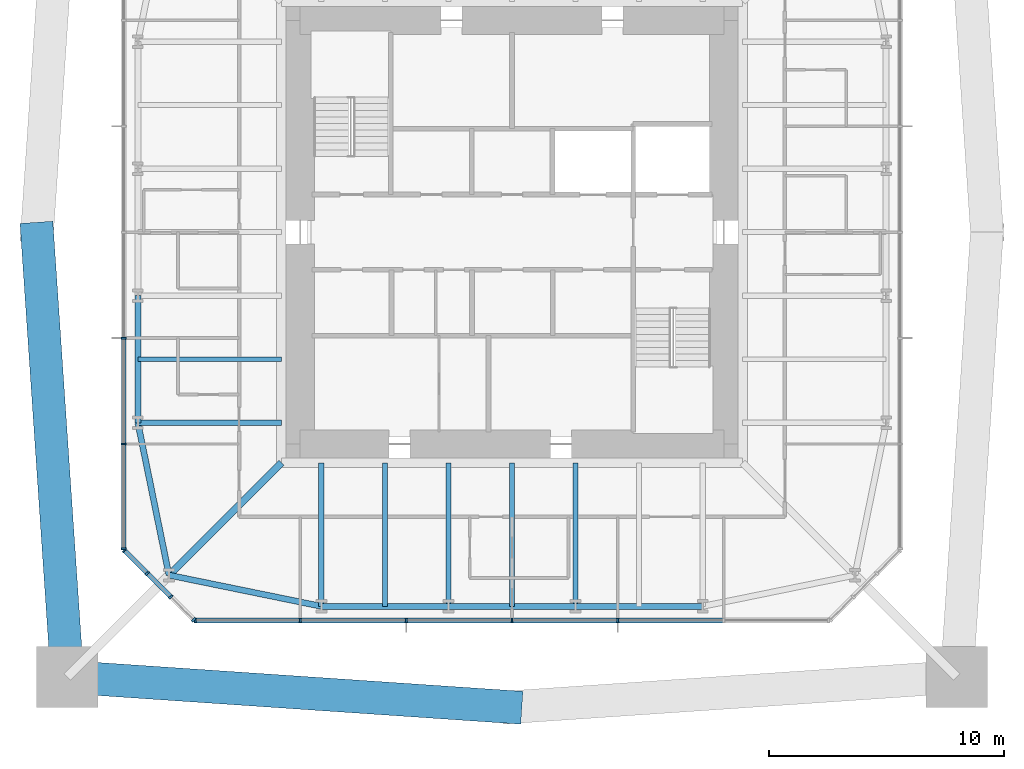
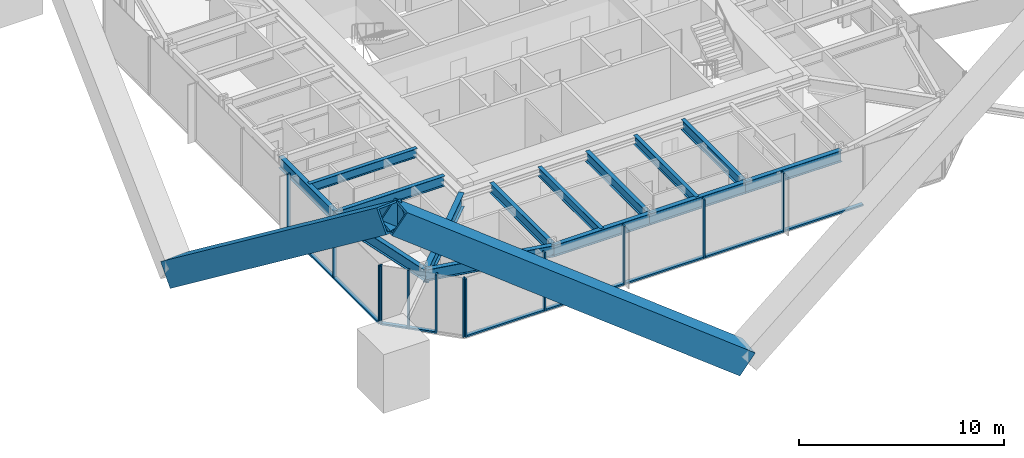
# One storey, part 2 of 11: 23 members, 14 beams, 3 elements without a shape of their own.
"""IFC4 building model written with IfcOpenShell, lengths in metres."""

from ifc_helpers import new_model, si_unit, direction, frame, origin, origin_2d, place, context, subcontext, project, spatial, rectangle, hollow_rectangle, i_section, extrude, material, material_profile, profile_set, type_object, element, aggregate, save


model = new_model("IFC4")

# Units and contexts
model_context = context("Model", 3, precision=1e-05, world=origin(), true_north=direction((0.0, 1.0)))
body_context = subcontext(model_context, "Body", "Model", "MODEL_VIEW")
ifc_project = project(units=[si_unit("LENGTHUNIT", "METRE"), si_unit("AREAUNIT", "SQUARE_METRE"), si_unit("VOLUMEUNIT", "CUBIC_METRE"), si_unit("PLANEANGLEUNIT", "RADIAN"), si_unit("MASSUNIT", "GRAM", prefix="KILO")], contexts=[model_context])

# Site, building, storey
site_placement = place(None, origin())
site = spatial("IfcSite", under=ifc_project, at=site_placement, CompositionType="ELEMENT")
building_placement = place(site_placement, origin())
building = spatial("IfcBuilding", under=site, at=building_placement, Name="Iwan Alto Co-Living Towers", CompositionType="ELEMENT")
storey_placement = place(building_placement, frame((0.0, 0.0, 229.0)))
storey = spatial("IfcBuildingStorey", under=building, at=storey_placement, Name="L62", CompositionType="ELEMENT", Elevation=229.0)

# Curtain wall, members
ifc_material_1 = material(Name="Bronze aluminium unitised frame", Category="aluminium")
curtain_wall_type_1 = type_object("IfcCurtainWallType", Name="CURTAIN WALL CW-A", PredefinedType="NOTDEFINED", material=ifc_material_1)
curtain_wall_1_placement = place(storey_placement, origin())
curtain_wall_1 = element("IfcCurtainWall", 1, at=curtain_wall_1_placement, inside=storey, type_object=curtain_wall_type_1, Name="T1 curtain wall S L62", PredefinedType="NOTDEFINED")
ifc_material_2 = material(Name="Aluminium 6063-T6 bronze anodised", Category="aluminium")
ifc_material_profile_1 = material_profile(ifc_material_2, rectangle(XDim=0.199951171875, YDim=0.080078125, at=origin_2d()), Name="AL 80X200")
ifc_profile_set_1 = profile_set([ifc_material_profile_1], Name="Aluminium 6063-T6 bronze anodised")
member_type_1 = type_object("IfcMemberType", Name="CW-A MULLION 80X200", PredefinedType="MULLION", material=ifc_profile_set_1)
member_1_placement = place(storey_placement, frame((-13.4599609375, -16.5, 0.0), z_axis=(0.0, 0.0, 1.0), x_axis=(0.0, 1.0, 0.0)))
member_1 = element("IfcMember", 2, at=member_1_placement, type_object=member_type_1, Name="CW-A mullion 1", PredefinedType="MULLION", context=body_context, shape_type="SweptSolid", body=[
    extrude(rectangle(XDim=0.199951171875, YDim=0.080078125, at=origin_2d()), origin(), (0.0, 0.0, 1.0), 3.5),
])
member_2_placement = place(storey_placement, frame((-9.0, -16.5, 0.0), z_axis=(0.0, 0.0, 1.0), x_axis=(0.0, 1.0, 0.0)))
member_2 = element("IfcMember", 3, at=member_2_placement, type_object=member_type_1, Name="CW-A mullion 2", PredefinedType="MULLION", context=body_context, shape_type="SweptSolid", body=[
    extrude(rectangle(XDim=0.199951171875, YDim=0.080078125, at=origin_2d()), origin(), (0.0, 0.0, 1.0), 3.5),
])
member_3_placement = place(storey_placement, frame((-4.5, -16.5, 0.0), z_axis=(0.0, 0.0, 1.0), x_axis=(0.0, 1.0, 0.0)))
member_3 = element("IfcMember", 4, at=member_3_placement, type_object=member_type_1, Name="CW-A mullion 3", PredefinedType="MULLION", context=body_context, shape_type="SweptSolid", body=[
    extrude(rectangle(XDim=0.199951171875, YDim=0.080078125, at=origin_2d()), origin(), (0.0, 0.0, 1.0), 3.5),
])
member_4_placement = place(storey_placement, frame((0.0, -16.5, 0.0), z_axis=(0.0, 0.0, 1.0), x_axis=(0.0, 1.0, 0.0)))
member_4 = element("IfcMember", 5, at=member_4_placement, type_object=member_type_1, Name="CW-A mullion 4", PredefinedType="MULLION", context=body_context, shape_type="SweptSolid", body=[
    extrude(rectangle(XDim=0.199951171875, YDim=0.080078125, at=origin_2d()), origin(), (0.0, 0.0, 1.0), 3.5),
])
member_5_placement = place(storey_placement, frame((4.5, -16.5, 0.0), z_axis=(0.0, 0.0, 1.0), x_axis=(0.0, 1.0, 0.0)))
member_5 = element("IfcMember", 6, at=member_5_placement, type_object=member_type_1, Name="CW-A mullion 5", PredefinedType="MULLION", context=body_context, shape_type="SweptSolid", body=[
    extrude(rectangle(XDim=0.199951171875, YDim=0.080078125, at=origin_2d()), origin(), (0.0, 0.0, 1.0), 3.5),
])

curtain_wall_2_placement = place(storey_placement, origin())
curtain_wall_2 = element("IfcCurtainWall", 7, at=curtain_wall_2_placement, inside=storey, type_object=curtain_wall_type_1, Name="T1 curtain wall W L62", PredefinedType="NOTDEFINED")
member_6_placement = place(storey_placement, frame((-16.5, -4.5, 0.0), z_axis=(0.0, 0.0, 1.0), x_axis=(1.0, 0.0, 0.0)))
member_6 = element("IfcMember", 8, at=member_6_placement, type_object=member_type_1, Name="CW-A mullion 5", PredefinedType="MULLION", context=body_context, shape_type="SweptSolid", body=[
    extrude(rectangle(XDim=0.199951171875, YDim=0.080078125, at=origin_2d()), origin(), (0.0, 0.0, 1.0), 3.5),
])
member_7_placement = place(storey_placement, frame((-16.5, -9.0, 0.0), z_axis=(0.0, 0.0, 1.0), x_axis=(1.0, 0.0, 0.0)))
member_7 = element("IfcMember", 9, at=member_7_placement, type_object=member_type_1, Name="CW-A mullion 6", PredefinedType="MULLION", context=body_context, shape_type="SweptSolid", body=[
    extrude(rectangle(XDim=0.199951171875, YDim=0.080078125, at=origin_2d()), origin(), (0.0, 0.0, 1.0), 3.5),
])
member_8_placement = place(storey_placement, frame((-16.5, -13.4599609375, 0.0), z_axis=(0.0, 0.0, 1.0), x_axis=(1.0, 0.0, 0.0)))
member_8 = element("IfcMember", 10, at=member_8_placement, type_object=member_type_1, Name="CW-A mullion 7", PredefinedType="MULLION", context=body_context, shape_type="SweptSolid", body=[
    extrude(rectangle(XDim=0.199951171875, YDim=0.080078125, at=origin_2d()), origin(), (0.0, 0.0, 1.0), 3.5),
])

# Member
ifc_material_3 = material(Name="Aluminium 6063-T6 bronze anodised", Category="aluminium")
ifc_material_profile_2 = material_profile(ifc_material_3, rectangle(XDim=0.199951171875, YDim=0.10009765625, at=origin_2d()), Name="AL 200X100")
ifc_profile_set_2 = profile_set([ifc_material_profile_2], Name="Aluminium 6063-T6 bronze anodised")
member_type_2 = type_object("IfcMemberType", Name="CW-A TRANSOM 200X100", PredefinedType="USERDEFINED", material=ifc_profile_set_2)
member_9_placement = place(storey_placement, frame((-13.419921875, -16.5, 0.050048828125), z_axis=(1.0, 0.0, 0.0), x_axis=(0.0, 1.0, 0.0)))
member_9 = element("IfcMember", 11, at=member_9_placement, type_object=member_type_2, Name="CW-A transom 1.1", ObjectType="TRANSOM", PredefinedType="USERDEFINED", context=body_context, shape_type="SweptSolid", body=[
    extrude(rectangle(XDim=0.199951171875, YDim=0.10009765625, at=origin_2d()), origin(), (0.0, 0.0, 1.0), 4.3798828125),
])

member_10_placement = place(storey_placement, frame((-8.9599609375, -16.5, 0.050048828125), z_axis=(1.0, 0.0, 0.0), x_axis=(0.0, 1.0, 0.0)))
member_10 = element("IfcMember", 12, at=member_10_placement, type_object=member_type_2, Name="CW-A transom 2.1", ObjectType="TRANSOM", PredefinedType="USERDEFINED", context=body_context, shape_type="SweptSolid", body=[
    extrude(rectangle(XDim=0.199951171875, YDim=0.10009765625, at=origin_2d()), origin(), (0.0, 0.0, 1.0), 4.419921875),
])

member_11_placement = place(storey_placement, frame((-4.4599609375, -16.5, 0.050048828125), z_axis=(1.0, 0.0, 0.0), x_axis=(0.0, 1.0, 0.0)))
member_11 = element("IfcMember", 13, at=member_11_placement, type_object=member_type_2, Name="CW-A transom 3.1", ObjectType="TRANSOM", PredefinedType="USERDEFINED", context=body_context, shape_type="SweptSolid", body=[
    extrude(rectangle(XDim=0.199951171875, YDim=0.10009765625, at=origin_2d()), origin(), (0.0, 0.0, 1.0), 4.419921875),
])

member_12_placement = place(storey_placement, frame((0.0400390625, -16.5, 0.050048828125), z_axis=(1.0, 0.0, 0.0), x_axis=(0.0, 1.0, 0.0)))
member_12 = element("IfcMember", 14, at=member_12_placement, type_object=member_type_2, Name="CW-A transom 4.1", ObjectType="TRANSOM", PredefinedType="USERDEFINED", context=body_context, shape_type="SweptSolid", body=[
    extrude(rectangle(XDim=0.199951171875, YDim=0.10009765625, at=origin_2d()), origin(), (0.0, 0.0, 1.0), 4.419921875),
])

member_13_placement = place(storey_placement, frame((4.5400390625, -16.5, 0.050048828125), z_axis=(1.0, 0.0, 0.0), x_axis=(0.0, 1.0, 0.0)))
member_13 = element("IfcMember", 15, at=member_13_placement, type_object=member_type_2, Name="CW-A transom 5.1", ObjectType="TRANSOM", PredefinedType="USERDEFINED", context=body_context, shape_type="SweptSolid", body=[
    extrude(rectangle(XDim=0.199951171875, YDim=0.10009765625, at=origin_2d()), origin(), (0.0, 0.0, 1.0), 4.419921875),
])

aggregate(curtain_wall_1, [member_1, member_2, member_3, member_4, member_5, member_9, member_10, member_11, member_12, member_13])

member_14_placement = place(storey_placement, frame((-16.5, -4.5400390625, 0.050048828125), z_axis=(0.0, -1.0, 0.0), x_axis=(1.0, 0.0, 0.0)))
member_14 = element("IfcMember", 16, at=member_14_placement, type_object=member_type_2, Name="CW-A transom 5.1", ObjectType="TRANSOM", PredefinedType="USERDEFINED", context=body_context, shape_type="SweptSolid", body=[
    extrude(rectangle(XDim=0.199951171875, YDim=0.10009765625, at=origin_2d()), origin(), (0.0, 0.0, 1.0), 4.419921875),
])

member_15_placement = place(storey_placement, frame((-16.5, -9.0400390625, 0.050048828125), z_axis=(0.0, -1.0, 0.0), x_axis=(1.0, 0.0, 0.0)))
member_15 = element("IfcMember", 17, at=member_15_placement, type_object=member_type_2, Name="CW-A transom 6.1", ObjectType="TRANSOM", PredefinedType="USERDEFINED", context=body_context, shape_type="SweptSolid", body=[
    extrude(rectangle(XDim=0.199951171875, YDim=0.10009765625, at=origin_2d()), origin(), (0.0, 0.0, 1.0), 4.3798828125),
])

aggregate(curtain_wall_2, [member_6, member_7, member_8, member_14, member_15])

# Curtain wall, members
ifc_material_4 = material(Name="Bronze aluminium unitised frame", Category="aluminium")
curtain_wall_type_2 = type_object("IfcCurtainWallType", Name="CURTAIN WALL CW-B", PredefinedType="NOTDEFINED", material=ifc_material_4)
curtain_wall_3_placement = place(storey_placement, origin())
curtain_wall_3 = element("IfcCurtainWall", 18, at=curtain_wall_3_placement, inside=storey, type_object=curtain_wall_type_2, Name="T1 chamfer curtain wall SW L62", PredefinedType="NOTDEFINED")
ifc_material_5 = material(Name="Aluminium 6063-T6 bronze anodised", Category="aluminium")
ifc_material_profile_3 = material_profile(ifc_material_5, rectangle(XDim=0.199951171875, YDim=0.080078125, at=origin_2d()), Name="AL 80X200")
ifc_profile_set_3 = profile_set([ifc_material_profile_3], Name="Aluminium 6063-T6 bronze anodised")
member_type_3 = type_object("IfcMemberType", Name="CW-B MULLION 80X200", PredefinedType="MULLION", material=ifc_profile_set_3)
member_16_placement = place(storey_placement, frame((-16.4716796875, -13.5283203125, 0.0), z_axis=(0.0, 0.0, 1.0), x_axis=(0.707106781187, 0.707106781187, 0.0)))
member_16 = element("IfcMember", 19, at=member_16_placement, type_object=member_type_3, Name="CW-B mullion 1", PredefinedType="MULLION", context=body_context, shape_type="SweptSolid", body=[
    extrude(rectangle(XDim=0.199951171875, YDim=0.080078125, at=origin_2d()), origin(), (0.0, 0.0, 1.0), 3.5),
])
member_17_placement = place(storey_placement, frame((-15.5, -14.5, 0.0), z_axis=(0.0, 0.0, 1.0), x_axis=(0.707106781187, 0.707106781187, 0.0)))
member_17 = element("IfcMember", 20, at=member_17_placement, type_object=member_type_3, Name="CW-B mullion 2", PredefinedType="MULLION", context=body_context, shape_type="SweptSolid", body=[
    extrude(rectangle(XDim=0.199951171875, YDim=0.080078125, at=origin_2d()), origin(), (0.0, 0.0, 1.0), 3.5),
])
member_18_placement = place(storey_placement, frame((-14.5, -15.5, 0.0), z_axis=(0.0, 0.0, 1.0), x_axis=(0.707106781187, 0.707106781187, 0.0)))
member_18 = element("IfcMember", 21, at=member_18_placement, type_object=member_type_3, Name="CW-B mullion 3", PredefinedType="MULLION", context=body_context, shape_type="SweptSolid", body=[
    extrude(rectangle(XDim=0.199951171875, YDim=0.080078125, at=origin_2d()), origin(), (0.0, 0.0, 1.0), 3.5),
])
member_19_placement = place(storey_placement, frame((-13.5283203125, -16.4716796875, 0.0), z_axis=(0.0, 0.0, 1.0), x_axis=(0.707106781187, 0.707106781187, 0.0)))
member_19 = element("IfcMember", 22, at=member_19_placement, type_object=member_type_3, Name="CW-B mullion 4", PredefinedType="MULLION", context=body_context, shape_type="SweptSolid", body=[
    extrude(rectangle(XDim=0.199951171875, YDim=0.080078125, at=origin_2d()), origin(), (0.0, 0.0, 1.0), 3.5),
])
ifc_material_6 = material(Name="Aluminium 6063-T6 bronze anodised", Category="aluminium")
ifc_material_profile_4 = material_profile(ifc_material_6, rectangle(XDim=0.199951171875, YDim=0.10009765625, at=origin_2d()), Name="AL 200X100")
ifc_profile_set_4 = profile_set([ifc_material_profile_4], Name="Aluminium 6063-T6 bronze anodised")
member_type_4 = type_object("IfcMemberType", Name="CW-B TRANSOM 200X100", PredefinedType="USERDEFINED", material=ifc_profile_set_4)
member_20_placement = place(storey_placement, frame((-16.443359375, -13.556640625, 0.050048828125), z_axis=(0.707106781187, -0.707106781187, 0.0), x_axis=(0.707106781187, 0.707106781187, 0.0)))
member_20 = element("IfcMember", 23, at=member_20_placement, type_object=member_type_4, Name="CW-B transom 1.1", ObjectType="TRANSOM", PredefinedType="USERDEFINED", context=body_context, shape_type="SweptSolid", body=[
    extrude(rectangle(XDim=0.199951171875, YDim=0.10009765625, at=origin_2d()), origin(), (0.0, 0.0, 1.0), 1.2939453125),
])
member_21_placement = place(storey_placement, frame((-15.4716796875, -14.5283203125, 0.050048828125), z_axis=(0.707106781187, -0.707106781187, 0.0), x_axis=(0.707106781187, 0.707106781187, 0.0)))
member_21 = element("IfcMember", 24, at=member_21_placement, type_object=member_type_4, Name="CW-B transom 2.1", ObjectType="TRANSOM", PredefinedType="USERDEFINED", context=body_context, shape_type="SweptSolid", body=[
    extrude(rectangle(XDim=0.199951171875, YDim=0.10009765625, at=origin_2d()), origin(), (0.0, 0.0, 1.0), 1.334228515625),
])
aggregate(curtain_wall_3, [member_16, member_17, member_18, member_19, member_20, member_21])

# Beams
ifc_material_7 = material(Name="Steel ASTM A992 Gr 50", Category="steel")
ifc_material_profile_5 = material_profile(ifc_material_7, i_section(OverallWidth=0.2919921875, OverallDepth=0.8408203125, WebThickness=0.0146484375, FlangeThickness=0.021728515625, at=origin_2d()), Name="W33X130")
ifc_profile_set_5 = profile_set([ifc_material_profile_5], Name="Steel ASTM A992 Gr 50")
beam_type_1 = type_object("IfcBeamType", Name="T1 CORNER GIRDER W33X130", PredefinedType="BEAM", material=ifc_profile_set_5)
beam_1_placement = place(storey_placement, frame((-14.57568359375, -14.57568359375, 2.849609375), z_axis=(0.707106781187, 0.707106781187, 0.0), x_axis=(-0.707106781187, 0.707106781187, 0.0)))
element("IfcBeam", 25, at=beam_1_placement, inside=storey, type_object=beam_type_1, Name="T1 corner girder CSW L63", PredefinedType="BEAM", context=body_context, shape_type="SweptSolid", body=[
    extrude(i_section(OverallWidth=0.2919921875, OverallDepth=0.8408203125, WebThickness=0.0146484375, FlangeThickness=0.021728515625, at=origin_2d()), origin(), (0.0, 0.0, 1.0), 6.7548828125),
])
ifc_material_8 = material(Name="Steel ASTM A992 Gr 50", Category="steel")
ifc_material_profile_6 = material_profile(ifc_material_8, i_section(OverallWidth=0.25390625, OverallDepth=0.683349609375, WebThickness=0.012451171875, FlangeThickness=0.018798828125, at=origin_2d()), Name="W27X94")
ifc_profile_set_6 = profile_set([ifc_material_profile_6], Name="Steel ASTM A992 Gr 50")
beam_type_2 = type_object("IfcBeamType", Name="T1 EDGE BEAM W27X94", PredefinedType="BEAM", material=ifc_profile_set_6)
beam_2_placement = place(storey_placement, frame((-14.57568359375, -14.57568359375, 2.928466796875), z_axis=(0.979724820103, -0.200347889618, 0.0), x_axis=(0.200347889618, 0.979724820103, 0.0)))
element("IfcBeam", 26, at=beam_2_placement, inside=storey, type_object=beam_type_2, Name="T1 edge beam CSW L63", PredefinedType="BEAM", context=body_context, shape_type="SweptSolid", body=[
    extrude(i_section(OverallWidth=0.25390625, OverallDepth=0.683349609375, WebThickness=0.012451171875, FlangeThickness=0.018798828125, at=origin_2d()), origin(), (0.0, 0.0, 1.0), 6.609619140625),
])
beam_3_placement = place(storey_placement, frame((-8.10009765625, -15.89990234375, 2.928466796875), z_axis=(1.0, 0.0, 0.0), x_axis=(0.0, 1.0, 0.0)))
element("IfcBeam", 27, at=beam_3_placement, inside=storey, type_object=beam_type_2, Name="T1 edge beam S1 L63", PredefinedType="BEAM", context=body_context, shape_type="SweptSolid", body=[
    extrude(i_section(OverallWidth=0.25390625, OverallDepth=0.683349609375, WebThickness=0.012451171875, FlangeThickness=0.018798828125, at=origin_2d()), origin(), (0.0, 0.0, 1.0), 5.400146484375),
])
beam_4_placement = place(storey_placement, frame((-2.699951171875, -15.89990234375, 2.928466796875), z_axis=(1.0, 0.0, 0.0), x_axis=(0.0, 1.0, 0.0)))
element("IfcBeam", 28, at=beam_4_placement, inside=storey, type_object=beam_type_2, Name="T1 edge beam S2 L63", PredefinedType="BEAM", context=body_context, shape_type="SweptSolid", body=[
    extrude(i_section(OverallWidth=0.25390625, OverallDepth=0.683349609375, WebThickness=0.012451171875, FlangeThickness=0.018798828125, at=origin_2d()), origin(), (0.0, 0.0, 1.0), 5.39990234375),
])
for number, where, z_axis, x_axis, name in (
    (29, (2.699951171875, -15.89990234375, 2.928466796875), (1.0, 0.0, 0.0), (0.0, 1.0, 0.0), "T1 edge beam S3 L63"),
    (30, (-15.89990234375, -2.699951171875, 2.928466796875), (0.0, -1.0, 0.0), (1.0, 0.0, 0.0), "T1 edge beam W3 L63"),
):
    element("IfcBeam", number, at=place(storey_placement, frame(where, z_axis=z_axis, x_axis=x_axis)), inside=storey, type_object=beam_type_2, Name=name, PredefinedType="BEAM", context=body_context, shape_type="SweptSolid", body=[
        extrude(i_section(OverallWidth=0.25390625, OverallDepth=0.683349609375, WebThickness=0.012451171875, FlangeThickness=0.018798828125, at=origin_2d()), origin(), (0.0, 0.0, 1.0), 5.400146484375),
    ])
beam_5_placement = place(storey_placement, frame((-15.89990234375, -8.10009765625, 2.928466796875), z_axis=(0.200347889618, -0.979724820103, 0.0), x_axis=(0.979724820103, 0.200347889618, 0.0)))
element("IfcBeam", 31, at=beam_5_placement, inside=storey, type_object=beam_type_2, Name="T1 edge beam W4 L63", PredefinedType="BEAM", context=body_context, shape_type="SweptSolid", body=[
    extrude(i_section(OverallWidth=0.25390625, OverallDepth=0.683349609375, WebThickness=0.012451171875, FlangeThickness=0.018798828125, at=origin_2d()), origin(), (0.0, 0.0, 1.0), 6.609619140625),
])

# Members
ifc_material_9 = material(Name="Steel ASTM A572 Gr 50", Category="steel")
ifc_material_profile_7 = material_profile(ifc_material_9, hollow_rectangle(XDim=1.39990234375, YDim=1.39990234375, WallThickness=0.10009765625, at=origin_2d()), Name="BOX 1400X1400X100")
ifc_profile_set_7 = profile_set([ifc_material_profile_7], Name="Steel ASTM A572 Gr 50")
member_type_5 = type_object("IfcMemberType", Name="T1 MEGA BRACE BOX 1400X1400X100", PredefinedType="BRACE", material=ifc_profile_set_7)
for number, where, z_axis, x_axis, name in (
    (32, (0.0, -20.181640625, -3.7158203125), (-0.797998095626, 0.054117989021, 0.600225193274), (-0.067661775131, -0.997708316186, 0.0), "T1 mega brace Z4A S 2 upper"),
    (33, (-20.181640625, 0.0, -3.7158203125), (0.054117989021, -0.797998095626, 0.600225193274), (0.997708316186, 0.067661775131, 0.0), "T1 mega brace Z4A W 1 upper"),
):
    element("IfcMember", number, at=place(storey_placement, frame(where, z_axis=z_axis, x_axis=x_axis)), inside=storey, type_object=member_type_5, Name=name, PredefinedType="BRACE", context=body_context, shape_type="SweptSolid", body=[
        extrude(hollow_rectangle(XDim=1.39990234375, YDim=1.39990234375, WallThickness=0.10009765625, at=origin_2d()), origin(), (0.0, 0.0, 1.0), 23.68408203125),
    ])

# Beams
ifc_material_10 = material(Name="Steel ASTM A992 Gr 50", Category="steel")
ifc_material_profile_8 = material_profile(ifc_material_10, i_section(OverallWidth=0.228271484375, OverallDepth=0.607177734375, WebThickness=0.01123046875, FlangeThickness=0.017333984375, at=origin_2d()), Name="W24X76")
ifc_profile_set_8 = profile_set([ifc_material_profile_8], Name="Steel ASTM A992 Gr 50")
beam_type_3 = type_object("IfcBeamType", Name="T1 RADIAL BEAM W24X76", PredefinedType="BEAM", material=ifc_profile_set_8)
for number, where, z_axis, x_axis, name in (
    (34, (-8.10009765625, -15.89990234375, 2.966552734375), (0.0, 1.0, 0.0), (-1.0, 0.0, 0.0), "T1 radial beam S1 L63"),
    (35, (-2.699951171875, -15.89990234375, 2.966552734375), (0.0, 1.0, 0.0), (-1.0, 0.0, 0.0), "T1 radial beam S2 L63"),
    (36, (2.699951171875, -15.89990234375, 2.966552734375), (0.0, 1.0, 0.0), (-1.0, 0.0, 0.0), "T1 radial beam S3 L63"),
    (37, (-15.89990234375, -8.10009765625, 2.966552734375), (1.0, 0.0, 0.0), (0.0, 1.0, 0.0), "T1 radial beam W4 L63"),
):
    element("IfcBeam", number, at=place(storey_placement, frame(where, z_axis=z_axis, x_axis=x_axis)), inside=storey, type_object=beam_type_3, Name=name, PredefinedType="BEAM", context=body_context, shape_type="SweptSolid", body=[
        extrude(i_section(OverallWidth=0.228271484375, OverallDepth=0.607177734375, WebThickness=0.01123046875, FlangeThickness=0.017333984375, at=origin_2d()), origin(), (0.0, 0.0, 1.0), 6.1005859375),
    ])
ifc_material_11 = material(Name="Steel ASTM A992 Gr 50", Category="steel")
ifc_material_profile_9 = material_profile(ifc_material_11, i_section(OverallWidth=0.209228515625, OverallDepth=0.533447265625, WebThickness=0.01025390625, FlangeThickness=0.015625, at=origin_2d()), Name="W21X62")
ifc_profile_set_9 = profile_set([ifc_material_profile_9], Name="Steel ASTM A992 Gr 50")
beam_type_4 = type_object("IfcBeamType", Name="T1 SECONDARY BEAM W21X62", PredefinedType="JOIST", material=ifc_profile_set_9)
for number, where, z_axis, x_axis, name in (
    (38, (-5.39990234375, -15.89990234375, 3.00341796875), (0.0, 1.0, 0.0), (-1.0, 0.0, 0.0), "T1 secondary beam S1 L63"),
    (39, (0.0, -15.89990234375, 3.00341796875), (0.0, 1.0, 0.0), (-1.0, 0.0, 0.0), "T1 secondary beam S2 L63"),
    (40, (-15.89990234375, -5.39990234375, 3.00341796875), (1.0, 0.0, 0.0), (0.0, 1.0, 0.0), "T1 secondary beam W3 L63"),
):
    element("IfcBeam", number, at=place(storey_placement, frame(where, z_axis=z_axis, x_axis=x_axis)), inside=storey, type_object=beam_type_4, Name=name, PredefinedType="JOIST", context=body_context, shape_type="SweptSolid", body=[
        extrude(i_section(OverallWidth=0.209228515625, OverallDepth=0.533447265625, WebThickness=0.01025390625, FlangeThickness=0.015625, at=origin_2d()), origin(), (0.0, 0.0, 1.0), 6.1005859375),
    ])

save(model, "model.ifc")
